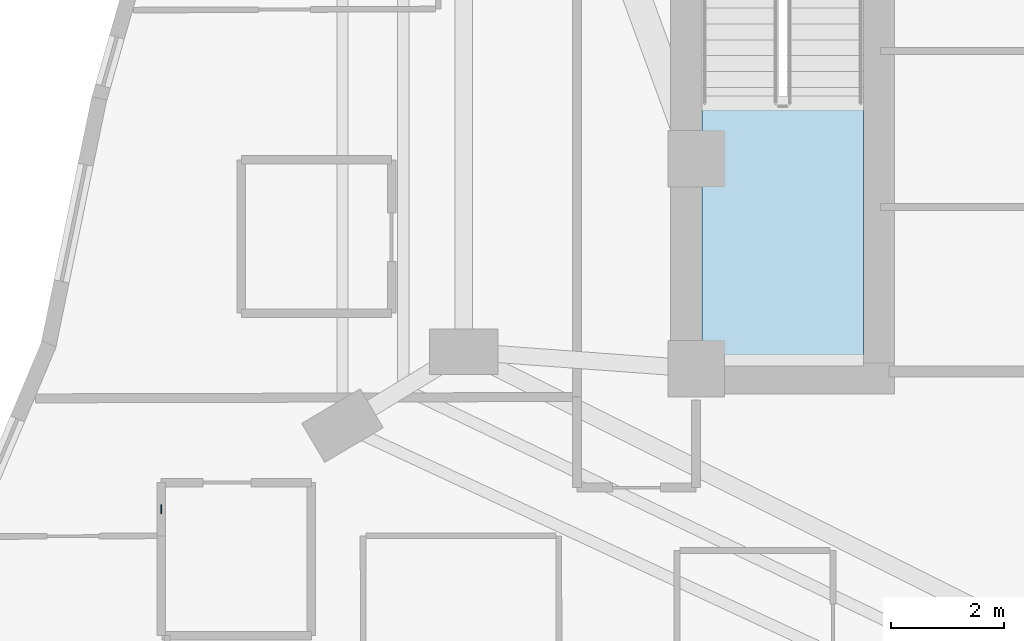
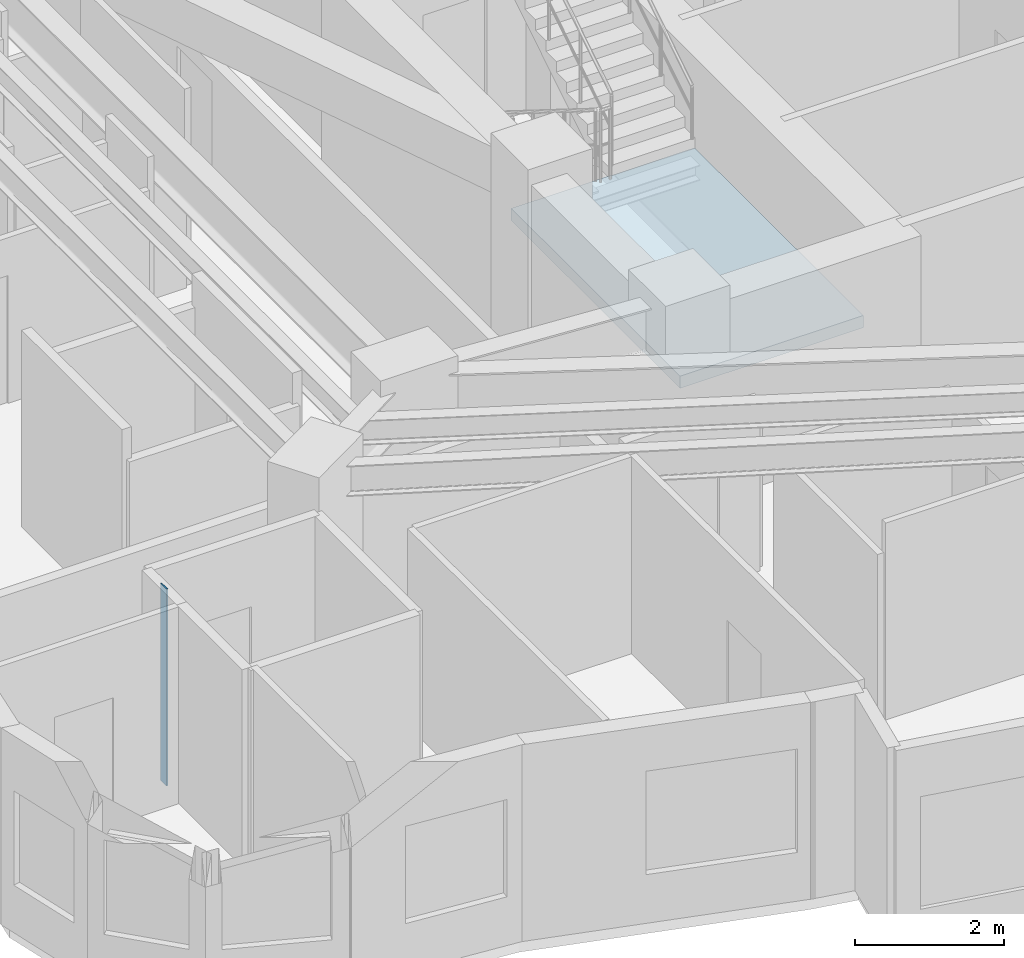
# One storey, part 2 of 11: 1 plate, 1 slab, 1 element without a shape of its own.
"""IFC4 building model written with IfcOpenShell, lengths in metres."""

from ifc_helpers import new_model, si_unit, direction, frame, origin, origin_2d, place, context, subcontext, project, spatial, polyline, rectangle, outline, extrude, material, layer, layer_set, type_object, element, aggregate, save


model = new_model("IFC4")

# Units and contexts
model_context = context("Model", 3, precision=1e-05, world=origin(), true_north=direction((0.0, 1.0)))
body_context = subcontext(model_context, "Body", "Model", "MODEL_VIEW")
ifc_project = project(units=[si_unit("LENGTHUNIT", "METRE"), si_unit("AREAUNIT", "SQUARE_METRE"), si_unit("VOLUMEUNIT", "CUBIC_METRE"), si_unit("PLANEANGLEUNIT", "RADIAN"), si_unit("MASSUNIT", "GRAM", prefix="KILO")], contexts=[model_context])

# Site, building, storey
site_placement = place(None, origin())
site = spatial("IfcSite", under=ifc_project, at=site_placement, CompositionType="ELEMENT")
building_placement = place(site_placement, origin())
building = spatial("IfcBuilding", under=site, at=building_placement, Name="Miruveldt Soraemaru", CompositionType="ELEMENT")
storey_placement = place(building_placement, frame((0.0, 0.0, 156.39990234375)))
storey = spatial("IfcBuildingStorey", under=building, at=storey_placement, Name="L43", CompositionType="ELEMENT", Elevation=156.39990234375)

# Plate
ifc_material_1 = material(Name="Anodised aluminium EN AW-6063 T6", Category="aluminium")
ifc_layer_1 = layer(ifc_material_1, 0.02001953125, Name="Anodised aluminium EN AW-6063 T6", Category="aluminium")
ifc_layer_set_1 = layer_set([ifc_layer_1], Name="Anodised aluminium EN AW-6063 T6")
plate_type = type_object("IfcPlateType", Name="PLT-PART-TRIM", PredefinedType="SHEET", material=ifc_layer_set_1)
plate_placement = place(storey_placement, frame((26.06201171875, 33.0205078125, 0.0), z_axis=(0.0, 0.0, 1.0), x_axis=(0.0, -1.0, 0.0)))
element("IfcPlate", 1, at=plate_placement, inside=storey, type_object=plate_type, Name="L43 Partition Step Corner Trim Plate 064", PredefinedType="SHEET", context=body_context, shape_type="SweptSolid", body=[
    extrude(rectangle(XDim=0.159912109375, YDim=0.02001953125, at=origin_2d()), origin(), (0.0, 0.0, 1.0), 3.235107421875),
])

# Stair, slab
ifc_material_2 = material(Name="Concrete C40/50 (40 MPa)", Category="concrete")
stair_type = type_object("IfcStairType", Name="STAIR-DL-350", PredefinedType="HALF_TURN_STAIR", material=ifc_material_2)
stair_placement = place(storey_placement, origin())
stair = element("IfcStair", 2, at=stair_placement, inside=storey, type_object=stair_type, Name="L43 Protected Exit Stair ST-1", PredefinedType="HALF_TURN_STAIR")
ifc_layer_2 = layer(ifc_material_2, 0.199951171875, Name="Concrete C40/50 (40 MPa)", Category="concrete")
ifc_layer_set_2 = layer_set([ifc_layer_2], Name="Concrete C40/50 (40 MPa)")
slab_type = type_object("IfcSlabType", Name="SLAB-LAND-200", PredefinedType="LANDING", material=ifc_layer_set_2)
slab_placement = place(storey_placement, frame((0.0, 0.0, 1.550048828125)))
slab = element("IfcSlab", 3, at=slab_placement, type_object=slab_type, Name="ST-1 landing 1", PredefinedType="LANDING", context=body_context, shape_type="SweptSolid", body=[
    extrude(outline(polyline([(35.60009765625, 40.197998046875), (35.60009765625, 35.64990234375), (38.449951171875, 35.64990234375), (38.449951171875, 40.197998046875), (35.60009765625, 40.197998046875)])), origin(), (0.0, 0.0, 1.0), 0.199951171875),
])
aggregate(stair, [slab])

save(model, "model.ifc")
